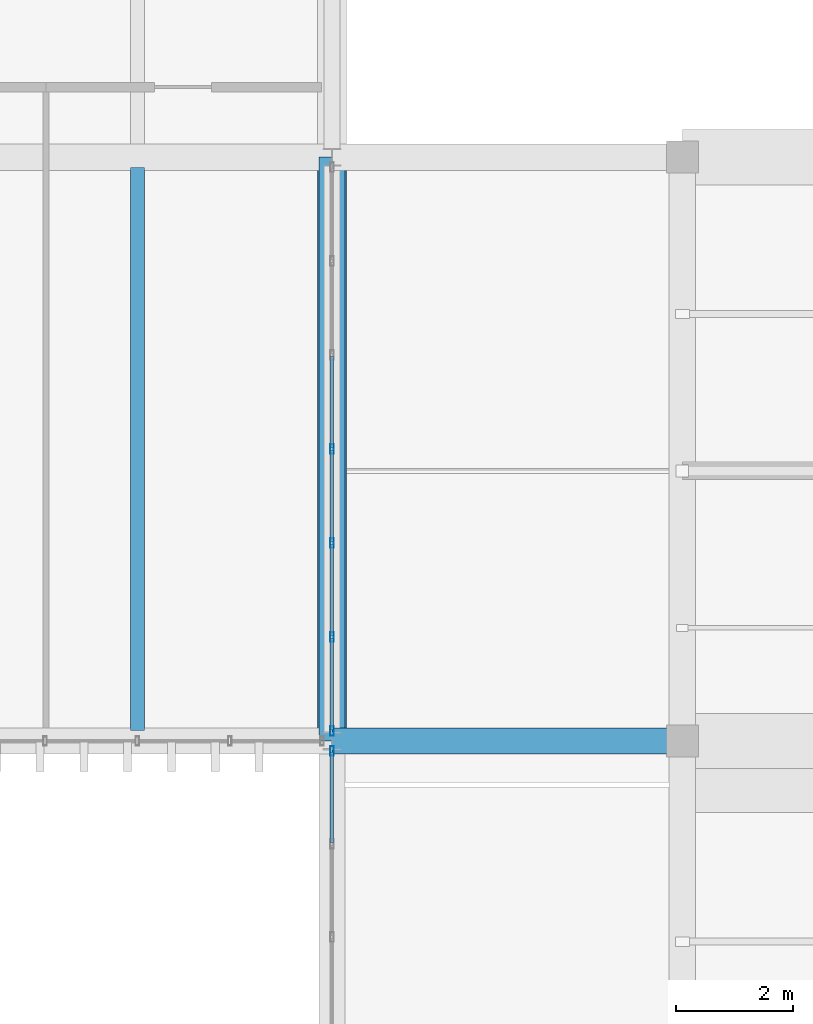
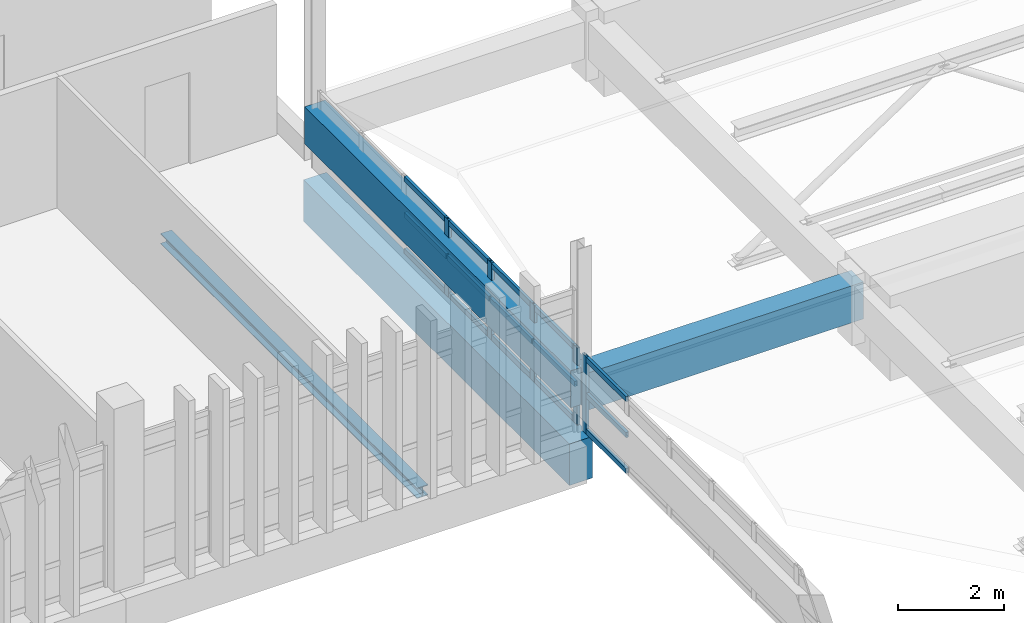
# One storey, part 30 of 82: 20 members, 4 beams, 2 elements without a shape of their own.
"""IFC4 building model written with IfcOpenShell, lengths in metres."""

from ifc_helpers import new_model, si_unit, direction, frame, origin, origin_2d, place, context, subcontext, project, spatial, rectangle, hollow_rectangle, i_section, extrude, material, layer, layer_set, material_profile, profile_set, type_object, element, aggregate, save


model = new_model("IFC4")

# Units and contexts
model_context = context("Model", 3, precision=1e-05, world=origin(), true_north=direction((0.0, 1.0)))
body_context = subcontext(model_context, "Body", "Model", "MODEL_VIEW")
ifc_project = project(units=[si_unit("LENGTHUNIT", "METRE"), si_unit("AREAUNIT", "SQUARE_METRE"), si_unit("VOLUMEUNIT", "CUBIC_METRE"), si_unit("PLANEANGLEUNIT", "RADIAN"), si_unit("MASSUNIT", "GRAM", prefix="KILO")], contexts=[model_context])

# Site, building, storey
site_placement = place(None, origin())
site = spatial("IfcSite", under=ifc_project, at=site_placement, CompositionType="ELEMENT")
building_placement = place(site_placement, origin())
building = spatial("IfcBuilding", under=site, at=building_placement, Name="Mersad Railyard Sports Hall", CompositionType="ELEMENT")
storey_placement = place(building_placement, frame((0.0, 0.0, 13.199951171875)))
storey = spatial("IfcBuildingStorey", under=building, at=storey_placement, Name="L03", CompositionType="ELEMENT", Elevation=13.199951171875)

# Curtain wall, member
ifc_material_1 = material(Name="Aluminium 6063-T6", Category="aluminium")
ifc_layer_1 = layer(ifc_material_1, 0.159912109375)
ifc_layer_set_1 = layer_set([ifc_layer_1], Name="Aluminium 6063-T6")
curtain_wall_type_1 = type_object("IfcCurtainWallType", Name="ARC-CW-CW21", PredefinedType="USERDEFINED", material=ifc_layer_set_1)
curtain_wall_1_placement = place(storey_placement, origin())
curtain_wall_1 = element("IfcCurtainWall", 1, at=curtain_wall_1_placement, inside=storey, type_object=curtain_wall_type_1, Name="Curtain wall CW21-0080", ObjectType="CURTAIN WALL", PredefinedType="USERDEFINED")
ifc_material_profile_1 = material_profile(ifc_material_1, hollow_rectangle(XDim=0.06005859375, YDim=0.159912109375, WallThickness=0.00390625, at=origin_2d()), Name="AL MULLION 60x160x4")
ifc_profile_set_1 = profile_set([ifc_material_profile_1], Name="Aluminium 6063-T6")
member_type_1 = type_object("IfcMemberType", Name="ARC-CW-MUL01", PredefinedType="MULLION", material=ifc_profile_set_1)
member_1_placement = place(storey_placement, frame((131.0, 84.830078125, -0.02001953125), z_axis=(0.0, 0.0, 1.0), x_axis=(1.0, 0.0, 0.0)))
member_1 = element("IfcMember", 2, at=member_1_placement, type_object=member_type_1, Name="CW21 Mullion 8", PredefinedType="MULLION", context=body_context, shape_type="SweptSolid", body=[
    extrude(hollow_rectangle(XDim=0.06005859375, YDim=0.159912109375, WallThickness=0.00390625, at=origin_2d()), origin(), (0.0, 0.0, 1.0), 1.77001953125),
])

# Curtain wall, members
ifc_layer_2 = layer(ifc_material_1, 0.159912109375)
ifc_layer_set_2 = layer_set([ifc_layer_2], Name="Aluminium 6063-T6")
curtain_wall_type_2 = type_object("IfcCurtainWallType", Name="ARC-CW-CW24", PredefinedType="USERDEFINED", material=ifc_layer_set_2)
curtain_wall_2_placement = place(storey_placement, origin())
curtain_wall_2 = element("IfcCurtainWall", 3, at=curtain_wall_2_placement, inside=storey, type_object=curtain_wall_type_2, Name="Curtain wall CW24-0082", ObjectType="CURTAIN WALL", PredefinedType="USERDEFINED")
member_2_placement = place(storey_placement, frame((131.0, 85.169921875, -0.02001953125), z_axis=(0.0, 0.0, 1.0), x_axis=(1.0, 0.0, 0.0)))
member_2 = element("IfcMember", 4, at=member_2_placement, type_object=member_type_1, Name="CW24 Mullion 1", PredefinedType="MULLION", context=body_context, shape_type="SweptSolid", body=[
    extrude(hollow_rectangle(XDim=0.06005859375, YDim=0.159912109375, WallThickness=0.00390625, at=origin_2d()), origin(), (0.0, 0.0, 1.0), 1.77001953125),
])
member_3_placement = place(storey_placement, frame((131.0, 86.780029296875, -0.02001953125), z_axis=(0.0, 0.0, 1.0), x_axis=(1.0, 0.0, 0.0)))
member_3 = element("IfcMember", 5, at=member_3_placement, type_object=member_type_1, Name="CW24 Mullion 2", PredefinedType="MULLION", context=body_context, shape_type="SweptSolid", body=[
    extrude(hollow_rectangle(XDim=0.06005859375, YDim=0.159912109375, WallThickness=0.00390625, at=origin_2d()), origin(), (0.0, 0.0, 1.0), 1.77001953125),
])
member_4_placement = place(storey_placement, frame((131.0, 88.389892578125, -0.02001953125), z_axis=(0.0, 0.0, 1.0), x_axis=(1.0, 0.0, 0.0)))
member_4 = element("IfcMember", 6, at=member_4_placement, type_object=member_type_1, Name="CW24 Mullion 3", PredefinedType="MULLION", context=body_context, shape_type="SweptSolid", body=[
    extrude(hollow_rectangle(XDim=0.06005859375, YDim=0.159912109375, WallThickness=0.00390625, at=origin_2d()), origin(), (0.0, 0.0, 1.0), 1.77001953125),
])
member_5_placement = place(storey_placement, frame((131.0, 90.0, -0.02001953125), z_axis=(0.0, 0.0, 1.0), x_axis=(1.0, 0.0, 0.0)))
member_5 = element("IfcMember", 7, at=member_5_placement, type_object=member_type_1, Name="CW24 Mullion 4", PredefinedType="MULLION", context=body_context, shape_type="SweptSolid", body=[
    extrude(hollow_rectangle(XDim=0.06005859375, YDim=0.159912109375, WallThickness=0.00390625, at=origin_2d()), origin(), (0.0, 0.0, 1.0), 1.77001953125),
])

# Member
ifc_material_profile_2 = material_profile(ifc_material_1, hollow_rectangle(XDim=0.06005859375, YDim=0.1201171875, WallThickness=0.00390625, at=origin_2d()), Name="AL TRANSOM 60x120x4")
ifc_profile_set_2 = profile_set([ifc_material_profile_2], Name="Aluminium 6063-T6")
member_type_2 = type_object("IfcMemberType", Name="ARC-CW-TRN01", PredefinedType="USERDEFINED", material=ifc_profile_set_2)
member_6_placement = place(storey_placement, frame((131.0, 83.255615234375, 0.0400390625), z_axis=(0.0, 1.0, 0.0), x_axis=(-1.0, 0.0, 0.0)))
member_6 = element("IfcMember", 8, at=member_6_placement, type_object=member_type_2, Name="CW21 Transom 1-7", ObjectType="TRANSOM", PredefinedType="USERDEFINED", context=body_context, shape_type="SweptSolid", body=[
    extrude(hollow_rectangle(XDim=0.06005859375, YDim=0.1201171875, WallThickness=0.00390625, at=origin_2d()), origin(), (0.0, 0.0, 1.0), 1.554443359375),
])

member_7_placement = place(storey_placement, frame((131.0, 83.255615234375, 0.864990234375), z_axis=(0.0, 1.0, 0.0), x_axis=(-1.0, 0.0, 0.0)))
member_7 = element("IfcMember", 9, at=member_7_placement, type_object=member_type_2, Name="CW21 Transom 2-7", ObjectType="TRANSOM", PredefinedType="USERDEFINED", context=body_context, shape_type="SweptSolid", body=[
    extrude(hollow_rectangle(XDim=0.06005859375, YDim=0.1201171875, WallThickness=0.00390625, at=origin_2d()), origin(), (0.0, 0.0, 1.0), 1.554443359375),
])

member_8_placement = place(storey_placement, frame((131.0, 83.255615234375, 1.68994140625), z_axis=(0.0, 1.0, 0.0), x_axis=(-1.0, 0.0, 0.0)))
member_8 = element("IfcMember", 10, at=member_8_placement, type_object=member_type_2, Name="CW21 Transom 3-7", ObjectType="TRANSOM", PredefinedType="USERDEFINED", context=body_context, shape_type="SweptSolid", body=[
    extrude(hollow_rectangle(XDim=0.06005859375, YDim=0.1201171875, WallThickness=0.00390625, at=origin_2d()), origin(), (0.0, 0.0, 1.0), 1.554443359375),
])

aggregate(curtain_wall_1, [member_1, member_6, member_7, member_8])

member_9_placement = place(storey_placement, frame((131.0, 85.18994140625, 0.0400390625), z_axis=(0.0, 1.0, 0.0), x_axis=(-1.0, 0.0, 0.0)))
member_9 = element("IfcMember", 11, at=member_9_placement, type_object=member_type_2, Name="CW24 Transom 1-1", ObjectType="TRANSOM", PredefinedType="USERDEFINED", context=body_context, shape_type="SweptSolid", body=[
    extrude(hollow_rectangle(XDim=0.06005859375, YDim=0.1201171875, WallThickness=0.00390625, at=origin_2d()), origin(), (0.0, 0.0, 1.0), 1.570068359375),
])

member_10_placement = place(storey_placement, frame((131.0, 86.800048828125, 0.0400390625), z_axis=(0.0, 1.0, 0.0), x_axis=(-1.0, 0.0, 0.0)))
member_10 = element("IfcMember", 12, at=member_10_placement, type_object=member_type_2, Name="CW24 Transom 1-2", ObjectType="TRANSOM", PredefinedType="USERDEFINED", context=body_context, shape_type="SweptSolid", body=[
    extrude(hollow_rectangle(XDim=0.06005859375, YDim=0.1201171875, WallThickness=0.00390625, at=origin_2d()), origin(), (0.0, 0.0, 1.0), 1.570068359375),
])

member_11_placement = place(storey_placement, frame((131.0, 88.409912109375, 0.0400390625), z_axis=(0.0, 1.0, 0.0), x_axis=(-1.0, 0.0, 0.0)))
member_11 = element("IfcMember", 13, at=member_11_placement, type_object=member_type_2, Name="CW24 Transom 1-3", ObjectType="TRANSOM", PredefinedType="USERDEFINED", context=body_context, shape_type="SweptSolid", body=[
    extrude(hollow_rectangle(XDim=0.06005859375, YDim=0.1201171875, WallThickness=0.00390625, at=origin_2d()), origin(), (0.0, 0.0, 1.0), 1.570068359375),
])

member_12_placement = place(storey_placement, frame((131.0, 90.02001953125, 0.0400390625), z_axis=(0.0, 1.0, 0.0), x_axis=(-1.0, 0.0, 0.0)))
member_12 = element("IfcMember", 14, at=member_12_placement, type_object=member_type_2, Name="CW24 Transom 1-4", ObjectType="TRANSOM", PredefinedType="USERDEFINED", context=body_context, shape_type="SweptSolid", body=[
    extrude(hollow_rectangle(XDim=0.06005859375, YDim=0.1201171875, WallThickness=0.00390625, at=origin_2d()), origin(), (0.0, 0.0, 1.0), 1.570068359375),
])

member_13_placement = place(storey_placement, frame((131.0, 85.18994140625, 0.864990234375), z_axis=(0.0, 1.0, 0.0), x_axis=(-1.0, 0.0, 0.0)))
member_13 = element("IfcMember", 15, at=member_13_placement, type_object=member_type_2, Name="CW24 Transom 2-1", ObjectType="TRANSOM", PredefinedType="USERDEFINED", context=body_context, shape_type="SweptSolid", body=[
    extrude(hollow_rectangle(XDim=0.06005859375, YDim=0.1201171875, WallThickness=0.00390625, at=origin_2d()), origin(), (0.0, 0.0, 1.0), 1.570068359375),
])

member_14_placement = place(storey_placement, frame((131.0, 86.800048828125, 0.864990234375), z_axis=(0.0, 1.0, 0.0), x_axis=(-1.0, 0.0, 0.0)))
member_14 = element("IfcMember", 16, at=member_14_placement, type_object=member_type_2, Name="CW24 Transom 2-2", ObjectType="TRANSOM", PredefinedType="USERDEFINED", context=body_context, shape_type="SweptSolid", body=[
    extrude(hollow_rectangle(XDim=0.06005859375, YDim=0.1201171875, WallThickness=0.00390625, at=origin_2d()), origin(), (0.0, 0.0, 1.0), 1.570068359375),
])

member_15_placement = place(storey_placement, frame((131.0, 88.409912109375, 0.864990234375), z_axis=(0.0, 1.0, 0.0), x_axis=(-1.0, 0.0, 0.0)))
member_15 = element("IfcMember", 17, at=member_15_placement, type_object=member_type_2, Name="CW24 Transom 2-3", ObjectType="TRANSOM", PredefinedType="USERDEFINED", context=body_context, shape_type="SweptSolid", body=[
    extrude(hollow_rectangle(XDim=0.06005859375, YDim=0.1201171875, WallThickness=0.00390625, at=origin_2d()), origin(), (0.0, 0.0, 1.0), 1.570068359375),
])

member_16_placement = place(storey_placement, frame((131.0, 90.02001953125, 0.864990234375), z_axis=(0.0, 1.0, 0.0), x_axis=(-1.0, 0.0, 0.0)))
member_16 = element("IfcMember", 18, at=member_16_placement, type_object=member_type_2, Name="CW24 Transom 2-4", ObjectType="TRANSOM", PredefinedType="USERDEFINED", context=body_context, shape_type="SweptSolid", body=[
    extrude(hollow_rectangle(XDim=0.06005859375, YDim=0.1201171875, WallThickness=0.00390625, at=origin_2d()), origin(), (0.0, 0.0, 1.0), 1.570068359375),
])

member_17_placement = place(storey_placement, frame((131.0, 85.18994140625, 1.68994140625), z_axis=(0.0, 1.0, 0.0), x_axis=(-1.0, 0.0, 0.0)))
member_17 = element("IfcMember", 19, at=member_17_placement, type_object=member_type_2, Name="CW24 Transom 3-1", ObjectType="TRANSOM", PredefinedType="USERDEFINED", context=body_context, shape_type="SweptSolid", body=[
    extrude(hollow_rectangle(XDim=0.06005859375, YDim=0.1201171875, WallThickness=0.00390625, at=origin_2d()), origin(), (0.0, 0.0, 1.0), 1.570068359375),
])

member_18_placement = place(storey_placement, frame((131.0, 86.800048828125, 1.68994140625), z_axis=(0.0, 1.0, 0.0), x_axis=(-1.0, 0.0, 0.0)))
member_18 = element("IfcMember", 20, at=member_18_placement, type_object=member_type_2, Name="CW24 Transom 3-2", ObjectType="TRANSOM", PredefinedType="USERDEFINED", context=body_context, shape_type="SweptSolid", body=[
    extrude(hollow_rectangle(XDim=0.06005859375, YDim=0.1201171875, WallThickness=0.00390625, at=origin_2d()), origin(), (0.0, 0.0, 1.0), 1.570068359375),
])

member_19_placement = place(storey_placement, frame((131.0, 88.409912109375, 1.68994140625), z_axis=(0.0, 1.0, 0.0), x_axis=(-1.0, 0.0, 0.0)))
member_19 = element("IfcMember", 21, at=member_19_placement, type_object=member_type_2, Name="CW24 Transom 3-3", ObjectType="TRANSOM", PredefinedType="USERDEFINED", context=body_context, shape_type="SweptSolid", body=[
    extrude(hollow_rectangle(XDim=0.06005859375, YDim=0.1201171875, WallThickness=0.00390625, at=origin_2d()), origin(), (0.0, 0.0, 1.0), 1.570068359375),
])

member_20_placement = place(storey_placement, frame((131.0, 90.02001953125, 1.68994140625), z_axis=(0.0, 1.0, 0.0), x_axis=(-1.0, 0.0, 0.0)))
member_20 = element("IfcMember", 22, at=member_20_placement, type_object=member_type_2, Name="CW24 Transom 3-4", ObjectType="TRANSOM", PredefinedType="USERDEFINED", context=body_context, shape_type="SweptSolid", body=[
    extrude(hollow_rectangle(XDim=0.06005859375, YDim=0.1201171875, WallThickness=0.00390625, at=origin_2d()), origin(), (0.0, 0.0, 1.0), 1.570068359375),
])

aggregate(curtain_wall_2, [member_2, member_3, member_4, member_5, member_9, member_10, member_11, member_12, member_13, member_14, member_15, member_16, member_17, member_18, member_19, member_20])

# Beams
ifc_material_2 = material(Name="Concrete C40/50", Category="concrete")
ifc_material_profile_3 = material_profile(ifc_material_2, rectangle(XDim=0.449951171875, YDim=0.85009765625, at=origin_2d()), Name="RC 450x850")
ifc_profile_set_3 = profile_set([ifc_material_profile_3], Name="Concrete C40/50")
beam_type_1 = type_object("IfcBeamType", Name="STR-BM-B02", PredefinedType="BEAM", material=ifc_profile_set_3)
beam_1_placement = place(storey_placement, frame((131.0, 85.0, 0.925048828125), z_axis=(1.0, 0.0, 0.0), x_axis=(0.0, 1.0, 0.0)))
element("IfcBeam", 23, at=beam_1_placement, inside=storey, type_object=beam_type_1, Name="Beam B02-0908", PredefinedType="BEAM", context=body_context, shape_type="SweptSolid", body=[
    extrude(rectangle(XDim=0.449951171875, YDim=0.85009765625, at=origin_2d()), origin(), (0.0, 0.0, 1.0), 6.0),
])
beam_2_placement = place(storey_placement, frame((131.0, 85.0, 0.925048828125), z_axis=(0.0, 1.0, 0.0), x_axis=(-1.0, 0.0, 0.0)))
element("IfcBeam", 24, at=beam_2_placement, inside=storey, type_object=beam_type_1, Name="Beam B02-0911", PredefinedType="BEAM", context=body_context, shape_type="SweptSolid", body=[
    extrude(rectangle(XDim=0.449951171875, YDim=0.85009765625, at=origin_2d()), origin(), (0.0, 0.0, 1.0), 10.0),
])
ifc_material_3 = material(Name="Concrete C50/60", Category="concrete")
ifc_material_profile_4 = material_profile(ifc_material_3, rectangle(XDim=0.5, YDim=0.949951171875, at=origin_2d()), Name="RC 500x950")
ifc_profile_set_4 = profile_set([ifc_material_profile_4], Name="Concrete C50/60")
beam_type_2 = type_object("IfcBeamType", Name="STR-BM-B03", PredefinedType="BEAM", material=ifc_profile_set_4)
beam_3_placement = place(storey_placement, frame((131.0, 85.0, -0.794921875), z_axis=(0.0, 1.0, 0.0), x_axis=(-1.0, 0.0, 0.0)))
element("IfcBeam", 25, at=beam_3_placement, inside=storey, type_object=beam_type_2, Name="Beam B03-1268", PredefinedType="BEAM", context=body_context, shape_type="SweptSolid", body=[
    extrude(rectangle(XDim=0.5, YDim=0.949951171875, at=origin_2d()), origin(), (0.0, 0.0, 1.0), 10.0),
])
ifc_material_4 = material(Name="Steel S355", Category="steel")
ifc_material_profile_5 = material_profile(ifc_material_4, i_section(OverallWidth=0.239990234375, OverallDepth=0.239990234375, WebThickness=0.010009765625, FlangeThickness=0.01708984375, at=origin_2d()), Name="HEB 240")
ifc_profile_set_5 = profile_set([ifc_material_profile_5], Name="Steel S355")
beam_type_3 = type_object("IfcBeamType", Name="STR-BM-SB04", PredefinedType="BEAM", material=ifc_profile_set_5)
beam_4_placement = place(storey_placement, frame((127.6669921875, 85.179931640625, -0.43994140625), z_axis=(0.0, 1.0, 0.0), x_axis=(-1.0, 0.0, 0.0)))
element("IfcBeam", 26, at=beam_4_placement, inside=storey, type_object=beam_type_3, Name="Beam SB04-1309", PredefinedType="BEAM", context=body_context, shape_type="SweptSolid", body=[
    extrude(i_section(OverallWidth=0.239990234375, OverallDepth=0.239990234375, WebThickness=0.010009765625, FlangeThickness=0.01708984375, at=origin_2d()), origin(), (0.0, 0.0, 1.0), 9.64013671875),
])

save(model, "model.ifc")
